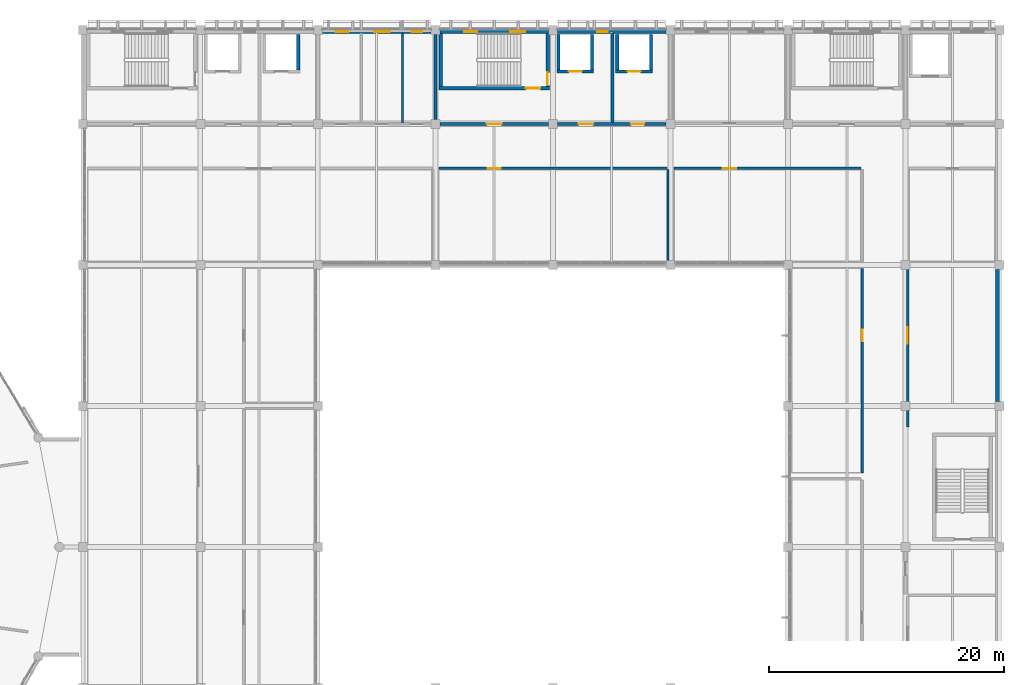
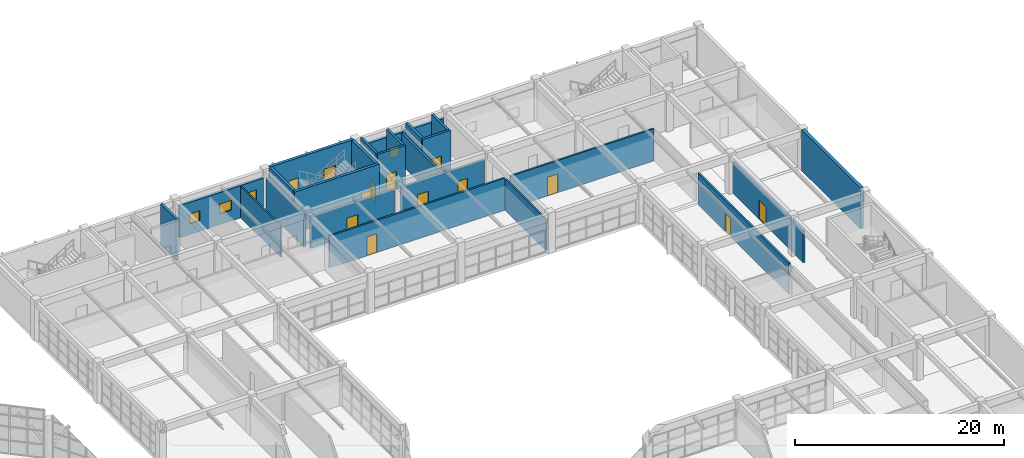
# One storey, part 96 of 109: 24 walls, 11 doors, 6 windows, 17 openings.
"""IFC4 building model written with IfcOpenShell, lengths in metres."""

import ifcopenshell
import ifcopenshell.guid

model = None  # the IFC model being written
_history = None  # IfcOwnerHistory: only IFC2X3 demands one
_inside = {}  # id of a spatial element -> (the spatial element, [elements in it])
_under = {}  # id of a project, library or spatial element -> (it, [spatial elements below it])
_declared = {}  # id of a project -> (the project, [libraries it declares])
_typed = {}  # id of a type object -> (the type object, [elements of that type])
_made_of = {}  # id of a material, layer set ... -> (it, [elements and type objects made of it])


def new_model(schema):
    """Start an empty IFC model of exactly this schema.

    Asked for "IFC4X3", IfcOpenShell would pick the latest addendum, in which some entities
    have other attributes; the version numbers below select the first issue.
    IFC2X3 requires an IfcOwnerHistory on every rooted entity: one is made here for all.
    """
    global model, _history
    if schema == "IFC4X3":
        model = ifcopenshell.file(schema_version=(4, 3, 0, 0))
    else:
        model = ifcopenshell.file(schema=schema)
    _inside.clear()
    _under.clear()
    _declared.clear()
    _typed.clear()
    _made_of.clear()
    _history = None
    if model.schema == "IFC2X3":
        org = make("IfcOrganization", Name="unknown")
        user = make(
            "IfcPersonAndOrganization",
            ThePerson=make("IfcPerson", FamilyName="unknown"),
            TheOrganization=org,
        )
        app = make(
            "IfcApplication",
            ApplicationDeveloper=org,
            Version="unknown",
            ApplicationFullName="unknown",
            ApplicationIdentifier="unknown",
        )
        _history = make(
            "IfcOwnerHistory",
            OwningUser=user,
            OwningApplication=app,
            ChangeAction="ADDED",
            CreationDate=0,
        )
    return model


def make(cls, **values):
    """One entity of the class cls with the attributes given. An attribute that is None is left unset."""
    return model.create_entity(
        cls, **{name: value for name, value in values.items() if value is not None}
    )


def rooted(cls, **values):
    """An entity with a GlobalId (a new one), such as an element, a storey or a relation."""
    return make(cls, GlobalId=ifcopenshell.guid.new(), OwnerHistory=_history, **values)


def si_unit(unit_type, name, prefix=None):
    """IfcSIUnit, for example si_unit("LENGTHUNIT", "METRE", prefix="MILLI")."""
    return make("IfcSIUnit", UnitType=unit_type, Prefix=prefix, Name=name)


def assignment(units):
    """IfcUnitAssignment: the units of a project."""
    return None if units is None else make("IfcUnitAssignment", Units=units)


def point(xyz):
    """IfcCartesianPoint."""
    return None if xyz is None else make("IfcCartesianPoint", Coordinates=xyz)


def direction(xyz):
    """IfcDirection."""
    return None if xyz is None else make("IfcDirection", DirectionRatios=xyz)


def frame(location, z_axis=None, x_axis=None):
    """IfcAxis2Placement3D, a coordinate frame: its origin and axes. An axis left out is left unset."""
    return make(
        "IfcAxis2Placement3D",
        Location=point(location),
        Axis=direction(z_axis),
        RefDirection=direction(x_axis),
    )


def frame_2d(location, x_axis=None):
    """IfcAxis2Placement2D, a coordinate frame in the plane: its origin and x axis."""
    return make(
        "IfcAxis2Placement2D", Location=point(location), RefDirection=direction(x_axis)
    )


def origin():
    """The frame at (0, 0, 0) with its axes left unset."""
    return frame((0.0, 0.0, 0.0))


def place(relative_to, where):
    """IfcLocalPlacement: puts the frame where relative to a parent placement (None: the world)."""
    return make(
        "IfcLocalPlacement", PlacementRelTo=relative_to, RelativePlacement=where
    )


def context(
    kind, dimensions, precision=None, world=None, true_north=None, identifier=None
):
    """IfcGeometricRepresentationContext, for example the 3D "Model" context."""
    return make(
        "IfcGeometricRepresentationContext",
        ContextIdentifier=identifier,
        ContextType=kind,
        CoordinateSpaceDimension=dimensions,
        Precision=precision,
        WorldCoordinateSystem=world,
        TrueNorth=true_north,
    )


def subcontext(parent, identifier, kind, view, scale=None):
    """IfcGeometricRepresentationSubContext, for example "Body" below "Model"."""
    return make(
        "IfcGeometricRepresentationSubContext",
        ContextIdentifier=identifier,
        ContextType=kind,
        ParentContext=parent,
        TargetScale=scale,
        TargetView=view,
    )


def project(units=None, contexts=None):
    """IfcProject with its units and contexts."""
    return rooted(
        "IfcProject",
        Name="project",
        RepresentationContexts=contexts,
        UnitsInContext=assignment(units),
    )


def spatial(cls, under=None, at=None, **own):
    """A site, building, storey or space (cls), placed at a placement, below another one or the project."""
    s = rooted(cls, ObjectPlacement=at, **own)
    if under is not None:
        _under.setdefault(under.id(), (under, []))[1].append(s)
    return s


def profile(cls, at=None, kind="AREA", **sizes):
    """A parametric profile (cls). Its sizes go by their IFC names, for example OverallWidth=200.0."""
    return make(cls, ProfileType=kind, Position=at, **sizes)


def rectangle(**sizes):
    """IfcRectangleProfileDef."""
    return profile("IfcRectangleProfileDef", **sizes)


def extrude(swept, where, along, depth):
    """IfcExtrudedAreaSolid: the profile swept, set in the frame where, extruded along a direction by depth."""
    return make(
        "IfcExtrudedAreaSolid",
        SweptArea=swept,
        Position=where,
        ExtrudedDirection=direction(along),
        Depth=depth,
    )


def shape(context_of_items, identifier, shape_type, items):
    """IfcShapeRepresentation: the items that make up one representation, for example the "Body"."""
    return make(
        "IfcShapeRepresentation",
        ContextOfItems=context_of_items,
        RepresentationIdentifier=identifier,
        RepresentationType=shape_type,
        Items=items,
    )


def material(Name=None, Category=None):
    """IfcMaterial."""
    return make("IfcMaterial", Name=Name, Category=Category)


def layer(
    of_material, thickness, ventilated=None, Name=None, Category=None, Priority=None
):
    """IfcMaterialLayer: one layer of a wall or slab, of a material (None: an air gap)."""
    return make(
        "IfcMaterialLayer",
        Material=of_material,
        LayerThickness=thickness,
        IsVentilated=ventilated,
        Name=Name,
        Category=Category,
        Priority=Priority,
    )


def layer_set(layers, Name=None):
    """IfcMaterialLayerSet."""
    return make("IfcMaterialLayerSet", MaterialLayers=layers, LayerSetName=Name)


def made_of(thing, what):
    """Note that an element or type object is made of a material, layer set ...; save() writes the relation."""
    if what is not None:
        _made_of.setdefault(what.id(), (what, []))[1].append(thing)
    return thing


def type_object(cls, material=None, **own):
    """A type object (cls), such as IfcWallType, which elements share."""
    return made_of(rooted(cls, **own), material)


def element(
    cls,
    number,
    at=None,
    inside=None,
    cuts=None,
    type_object=None,
    material=None,
    context=None,
    identifier="Body",
    shape_type=None,
    held_by="IfcProductDefinitionShape",
    body=None,
    shapes=None,
    **own,
):
    """One element of the class cls, such as IfcWall. Its Tag is "e" and its number.

    at: its placement. inside: the storey or other place that contains it. cuts: it is an
    opening in that element (IfcRelVoidsElement). A single representation is given by context,
    identifier, shape_type and body (its items); several are given by shapes. held_by: the class
    of the entity that holds the representations. save() writes the other relations.
    """
    e = rooted(cls, Tag="e%d" % number, ObjectPlacement=at, **own)
    if body is not None:
        shapes = [shape(context, identifier, shape_type, body)]
    if shapes is not None:
        e.Representation = make(held_by, Representations=shapes)
    if inside is not None:
        _inside.setdefault(inside.id(), (inside, []))[1].append(e)
    if cuts is not None:
        rooted(
            "IfcRelVoidsElement", RelatingBuildingElement=cuts, RelatedOpeningElement=e
        )
    if type_object is not None:
        _typed.setdefault(type_object.id(), (type_object, []))[1].append(e)
    return made_of(e, material)


def fill(opening, filler):
    """IfcRelFillsElement: the door or window that sits in an opening."""
    return rooted(
        "IfcRelFillsElement",
        RelatingOpeningElement=opening,
        RelatedBuildingElement=filler,
    )


def aggregate(whole, parts):
    """IfcRelAggregates: a whole, such as a stair, and the parts it consists of."""
    return rooted("IfcRelAggregates", RelatingObject=whole, RelatedObjects=parts)


def save(model, path):
    """Write the relations noted so far, then the file.

    IfcRelAggregates (storeys below a building ...), IfcRelContainedInSpatialStructure (elements
    in a storey), IfcRelDefinesByType, IfcRelAssociatesMaterial and IfcRelDeclares: one each for
    every whole, place, type object, material and project.
    """
    for whole, parts in _under.values():
        aggregate(whole, parts)
    for where, things in _inside.values():
        rooted(
            "IfcRelContainedInSpatialStructure",
            RelatedElements=things,
            RelatingStructure=where,
        )
    for kind, things in _typed.values():
        rooted("IfcRelDefinesByType", RelatedObjects=things, RelatingType=kind)
    for what, things in _made_of.values():
        rooted("IfcRelAssociatesMaterial", RelatedObjects=things, RelatingMaterial=what)
    for by, libraries in _declared.values():
        rooted("IfcRelDeclares", RelatingContext=by, RelatedDefinitions=libraries)
    model.write(path)


model = new_model("IFC4")

# Units and contexts
model_context = context("Model", 3, precision=1e-05, world=origin(), true_north=direction((0.0, 1.0)))
body_context = subcontext(model_context, "Body", "Model", "MODEL_VIEW")
ifc_project = project(units=[si_unit("LENGTHUNIT", "METRE"), si_unit("AREAUNIT", "SQUARE_METRE"), si_unit("VOLUMEUNIT", "CUBIC_METRE"), si_unit("PLANEANGLEUNIT", "RADIAN"), si_unit("MASSUNIT", "GRAM", prefix="KILO")], contexts=[model_context])

# Site, building, storey
site_placement = place(None, origin())
site = spatial("IfcSite", under=ifc_project, at=site_placement, CompositionType="ELEMENT")
building_placement = place(site_placement, origin())
building = spatial("IfcBuilding", under=site, at=building_placement, Name="Kivolera Central Railway Station", CompositionType="ELEMENT")
storey_placement = place(building_placement, frame((0.0, 0.0, 9.60009765625)))
storey = spatial("IfcBuildingStorey", under=building, at=storey_placement, Name="L02", CompositionType="ELEMENT", Elevation=9.60009765625)

# Wall, opening, door
ifc_material_1 = material(Name="Concrete C40/50", Category="concrete")
ifc_layer_1 = layer(ifc_material_1, 0.22998046875, Name="Concrete C40/50")
ifc_layer_set_1 = layer_set([ifc_layer_1], Name="Concrete C40/50")
wall_type_1 = type_object("IfcWallType", Name="WL-COMP-230", PredefinedType="PARTITIONING", material=ifc_layer_set_1)
wall_1_placement = place(storey_placement, frame((188.179931640625, 100.199951171875, 0.0), z_axis=(0.0, 0.0, 1.0), x_axis=(0.0, 1.0, 0.0)))
wall_1 = element("IfcWall", 1, at=wall_1_placement, inside=storey, type_object=wall_type_1, Name="L02 Concourse Kitchen Extract Plant Room Corridor Wall", PredefinedType="PARTITIONING", context=body_context, shape_type="SweptSolid", body=[
    extrude(rectangle(XDim=13.5, YDim=0.22998046875, at=frame_2d((6.75, 0.0))), origin(), (0.0, 0.0, 1.0), 3.657958984375),
])
opening_1_placement = place(wall_1_placement, frame((7.10009765625, 0.0, 0.0)))
opening_1 = element("IfcOpeningElement", 2, at=opening_1_placement, cuts=wall_1, Name="Opening D-PLT-1400", PredefinedType="OPENING", context=body_context, shape_type="SweptSolid", body=[
    extrude(rectangle(XDim=1.39990234375, YDim=2.199951171875, at=frame_2d((0.699951171875, 1.10009765625))), frame((0.0, 0.125, 0.0), z_axis=(0.0, -1.0, 0.0), x_axis=(1.0, 0.0, 0.0)), (0.0, 0.0, 1.0), 0.25),
])
ifc_material_2 = material(Name="Anodised aluminium", Category="aluminium")
door_type_1 = type_object("IfcDoorType", Name="DR-D-PLT-1400", OperationType="NOTDEFINED", PredefinedType="DOOR", material=ifc_material_2)
door_1_placement = place(opening_1_placement, origin())
door_1 = element("IfcDoor", 3, at=door_1_placement, inside=storey, type_object=door_type_1, Name="L02 Concourse Kitchen Extract Plant Room Door", OperationType="SINGLE_SWING_LEFT", OverallHeight=2.199951171875, OverallWidth=1.39990234375, PredefinedType="DOOR", context=body_context, shape_type="SweptSolid", body=[
    extrude(rectangle(XDim=1.39990234375, YDim=2.199951171875, at=frame_2d((0.699951171875, 1.10009765625))), frame((0.0, 0.02490234375, 0.0), z_axis=(0.0, -1.0, 0.0), x_axis=(1.0, 0.0, 0.0)), (0.0, 0.0, 1.0), 0.050048828125),
])
fill(opening_1, door_1)

ifc_material_3 = material(Name="Swahili coral limestone", Category="masonry")
ifc_layer_2 = layer(ifc_material_3, 0.199951171875, Name="Swahili coral limestone")
ifc_layer_set_2 = layer_set([ifc_layer_2], Name="Swahili coral limestone")
wall_type_2 = type_object("IfcWallType", Name="WL-COR-200", PredefinedType="PARTITIONING", material=ifc_layer_set_2)
wall_2_placement = place(storey_placement, frame((148.300048828125, 122.219970703125, 0.0), z_axis=(0.0, 0.0, 1.0), x_axis=(1.0, 0.0, 0.0)))
wall_2 = element("IfcWall", 4, at=wall_2_placement, inside=storey, type_object=wall_type_2, Name="L02 Commercial Catering Culinary Studio Corridor Wall", PredefinedType="PARTITIONING", context=body_context, shape_type="SweptSolid", body=[
    extrude(rectangle(XDim=19.39990234375, YDim=0.199951171875, at=frame_2d((9.699951171875, 0.0))), origin(), (0.0, 0.0, 1.0), 3.7578125),
])
opening_2_placement = place(wall_2_placement, frame((4.14990234375, 0.0, 0.0)))
opening_2 = element("IfcOpeningElement", 5, at=opening_2_placement, cuts=wall_2, Name="Opening D-SG-11", PredefinedType="OPENING", context=body_context, shape_type="SweptSolid", body=[
    extrude(rectangle(XDim=1.10009765625, YDim=2.199951171875, at=frame_2d((0.550048828125, 1.10009765625))), frame((0.0, 0.10986328125, 0.0), z_axis=(0.0, -1.0, 0.0), x_axis=(1.0, 0.0, 0.0)), (0.0, 0.0, 1.0), 0.219970703125),
])
ifc_material_4 = material(Name="Hardwood mvule timber", Category="wood")
door_type_2 = type_object("IfcDoorType", Name="DR-D-SG-11", OperationType="NOTDEFINED", PredefinedType="DOOR", material=ifc_material_4)
door_2_placement = place(opening_2_placement, origin())
door_2 = element("IfcDoor", 6, at=door_2_placement, inside=storey, type_object=door_type_2, Name="L02 Commercial Catering Culinary Studio Door", OperationType="SINGLE_SWING_RIGHT", OverallHeight=2.199951171875, OverallWidth=1.10009765625, PredefinedType="DOOR", context=body_context, shape_type="SweptSolid", body=[
    extrude(rectangle(XDim=1.10009765625, YDim=2.199951171875, at=frame_2d((0.550048828125, 1.10009765625))), frame((0.0, 0.02490234375, 0.0), z_axis=(0.0, -1.0, 0.0), x_axis=(1.0, 0.0, 0.0)), (0.0, 0.0, 1.0), 0.050048828125),
])
fill(opening_2, door_2)

wall_3_placement = place(storey_placement, frame((168.300048828125, 122.219970703125, 0.0), z_axis=(0.0, 0.0, 1.0), x_axis=(1.0, 0.0, 0.0)))
wall_3 = element("IfcWall", 7, at=wall_3_placement, inside=storey, type_object=wall_type_2, Name="L02 Dar Roastery Espresso Cafe Corridor Wall", PredefinedType="PARTITIONING", context=body_context, shape_type="SweptSolid", body=[
    extrude(rectangle(XDim=15.89990234375, YDim=0.199951171875, at=frame_2d((7.949951171875, 0.0))), origin(), (0.0, 0.0, 1.0), 3.7578125),
])
opening_3_placement = place(wall_3_placement, frame((4.125, 0.0, 0.0)))
opening_3 = element("IfcOpeningElement", 8, at=opening_3_placement, cuts=wall_3, Name="Opening D-SG-12", PredefinedType="OPENING", context=body_context, shape_type="SweptSolid", body=[
    extrude(rectangle(XDim=1.14990234375, YDim=2.199951171875, at=frame_2d((0.574951171875, 1.10009765625))), frame((0.0, 0.10986328125, 0.0), z_axis=(0.0, -1.0, 0.0), x_axis=(1.0, 0.0, 0.0)), (0.0, 0.0, 1.0), 0.219970703125),
])
door_type_3 = type_object("IfcDoorType", Name="DR-D-SG-12", OperationType="NOTDEFINED", PredefinedType="DOOR", material=ifc_material_4)
door_3_placement = place(opening_3_placement, origin())
door_3 = element("IfcDoor", 9, at=door_3_placement, inside=storey, type_object=door_type_3, Name="L02 Dar Roastery Espresso Cafe Door", OperationType="SINGLE_SWING_LEFT", OverallHeight=2.199951171875, OverallWidth=1.14990234375, PredefinedType="DOOR", context=body_context, shape_type="SweptSolid", body=[
    extrude(rectangle(XDim=1.14990234375, YDim=2.199951171875, at=frame_2d((0.574951171875, 1.10009765625))), frame((0.0, 0.02490234375, 0.0), z_axis=(0.0, -1.0, 0.0), x_axis=(1.0, 0.0, 0.0)), (0.0, 0.0, 1.0), 0.050048828125),
])
fill(opening_3, door_3)

wall_4_placement = place(storey_placement, frame((184.320068359375, 96.300048828125, 0.0), z_axis=(0.0, 0.0, 1.0), x_axis=(0.0, 1.0, 0.0)))
wall_4 = element("IfcWall", 10, at=wall_4_placement, inside=storey, type_object=wall_type_2, Name="L02 Travellers' Periodical Lounge Corridor Wall", PredefinedType="PARTITIONING", context=body_context, shape_type="SweptSolid", body=[
    extrude(rectangle(XDim=17.39990234375, YDim=0.199951171875, at=frame_2d((8.699951171875, 0.0))), origin(), (0.0, 0.0, 1.0), 3.657958984375),
])
opening_4_placement = place(wall_4_placement, frame((11.199951171875, 0.0, 0.0)))
opening_4 = element("IfcOpeningElement", 11, at=opening_4_placement, cuts=wall_4, Name="Opening D-SG-03", PredefinedType="OPENING", context=body_context, shape_type="SweptSolid", body=[
    extrude(rectangle(XDim=1.0, YDim=2.10009765625, at=frame_2d((0.5, 1.050048828125))), frame((0.0, 0.10986328125, 0.0), z_axis=(0.0, -1.0, 0.0), x_axis=(1.0, 0.0, 0.0)), (0.0, 0.0, 1.0), 0.219970703125),
])
door_type_4 = type_object("IfcDoorType", Name="DR-D-SG-03", OperationType="NOTDEFINED", PredefinedType="DOOR", material=ifc_material_4)
door_4_placement = place(opening_4_placement, origin())
door_4 = element("IfcDoor", 12, at=door_4_placement, inside=storey, type_object=door_type_4, Name="L02 Travellers' Periodical Lounge Door", OperationType="SINGLE_SWING_RIGHT", OverallHeight=2.10009765625, OverallWidth=1.0, PredefinedType="DOOR", context=body_context, shape_type="SweptSolid", body=[
    extrude(rectangle(XDim=1.0, YDim=2.10009765625, at=frame_2d((0.5, 1.050048828125))), frame((0.0, 0.02490234375, 0.0), z_axis=(0.0, -1.0, 0.0), x_axis=(1.0, 0.0, 0.0)), (0.0, 0.0, 1.0), 0.050048828125),
])
fill(opening_4, door_4)

ifc_layer_3 = layer(ifc_material_1, 0.300048828125, Name="Concrete C40/50")
ifc_layer_set_3 = layer_set([ifc_layer_3], Name="Concrete C40/50")
wall_type_3 = type_object("IfcWallType", Name="WL-CORE-300", PredefinedType="SHEAR", material=ifc_layer_set_3)
wall_5_placement = place(storey_placement, frame((157.699951171875, 129.030029296875, 0.0), z_axis=(0.0, 0.0, 1.0), x_axis=(-1.0, 0.0, 0.0)))
wall_5 = element("IfcWall", 13, at=wall_5_placement, inside=storey, type_object=wall_type_3, Name="L02 ST2 Core Right Shear Wall", PredefinedType="SHEAR", context=body_context, shape_type="SweptSolid", body=[
    extrude(rectangle(XDim=9.39990234375, YDim=0.300048828125, at=frame_2d((4.699951171875, 0.0))), origin(), (0.0, 0.0, 1.0), 4.7998046875),
])
opening_5_placement = place(wall_5_placement, frame((0.800048828125, 0.0, 0.0)))
opening_5 = element("IfcOpeningElement", 14, at=opening_5_placement, cuts=wall_5, Name="Opening D-STAIR-1200", PredefinedType="OPENING", context=body_context, shape_type="SweptSolid", body=[
    extrude(rectangle(XDim=1.199951171875, YDim=2.14990234375, at=frame_2d((0.60009765625, 1.074951171875))), frame((0.0, 0.159912109375, 0.0), z_axis=(0.0, -1.0, 0.0), x_axis=(1.0, 0.0, 0.0)), (0.0, 0.0, 1.0), 0.320068359375),
])
door_type_5 = type_object("IfcDoorType", Name="DR-D-STAIR-1200", OperationType="NOTDEFINED", PredefinedType="DOOR", material=ifc_material_4)
door_5_placement = place(opening_5_placement, origin())
door_5 = element("IfcDoor", 15, at=door_5_placement, inside=storey, type_object=door_type_5, Name="L02 ST2 Vestibule Fire Door", OperationType="SINGLE_SWING_LEFT", OverallHeight=2.14990234375, OverallWidth=1.199951171875, PredefinedType="DOOR", context=body_context, shape_type="SweptSolid", body=[
    extrude(rectangle(XDim=1.199951171875, YDim=2.14990234375, at=frame_2d((0.60009765625, 1.074951171875))), frame((0.0, 0.02490234375, 0.0), z_axis=(0.0, -1.0, 0.0), x_axis=(1.0, 0.0, 0.0)), (0.0, 0.0, 1.0), 0.050048828125),
])
fill(opening_5, door_5)

wall_6_placement = place(storey_placement, frame((157.550048828125, 133.679931640625, 0.0), z_axis=(0.0, 0.0, 1.0), x_axis=(0.0, -1.0, 0.0)))
wall_6 = element("IfcWall", 16, at=wall_6_placement, inside=storey, type_object=wall_type_3, Name="L02 ST2 Core Near Shear Wall", PredefinedType="SHEAR", context=body_context, shape_type="SweptSolid", body=[
    extrude(rectangle(XDim=4.5, YDim=0.300048828125, at=frame_2d((2.25, 0.0))), origin(), (0.0, 0.0, 1.0), 4.7998046875),
])
opening_6_placement = place(wall_6_placement, frame((3.300048828125, 0.0, 0.0)))
opening_6 = element("IfcOpeningElement", 17, at=opening_6_placement, cuts=wall_6, Name="Opening D-FFL-1100", PredefinedType="OPENING", context=body_context, shape_type="SweptSolid", body=[
    extrude(rectangle(XDim=1.10009765625, YDim=2.14990234375, at=frame_2d((0.550048828125, 1.074951171875))), frame((0.0, 0.159912109375, 0.0), z_axis=(0.0, -1.0, 0.0), x_axis=(1.0, 0.0, 0.0)), (0.0, 0.0, 1.0), 0.320068359375),
])
door_type_6 = type_object("IfcDoorType", Name="DR-D-FFL-1100", OperationType="NOTDEFINED", PredefinedType="DOOR", material=ifc_material_4)
door_6_placement = place(opening_6_placement, origin())
door_6 = element("IfcDoor", 18, at=door_6_placement, inside=storey, type_object=door_type_6, Name="L02 Firefighting Lobby to ST2 Fire Door", OperationType="SINGLE_SWING_RIGHT", OverallHeight=2.14990234375, OverallWidth=1.10009765625, PredefinedType="DOOR", context=body_context, shape_type="SweptSolid", body=[
    extrude(rectangle(XDim=1.10009765625, YDim=2.14990234375, at=frame_2d((0.550048828125, 1.074951171875))), frame((0.0, 0.02490234375, 0.0), z_axis=(0.0, -1.0, 0.0), x_axis=(1.0, 0.0, 0.0)), (0.0, 0.0, 1.0), 0.050048828125),
])
fill(opening_6, door_6)

# Wall
wall_7_placement = place(storey_placement, frame((148.449951171875, 129.179931640625, 0.0), z_axis=(0.0, 0.0, 1.0), x_axis=(0.0, 1.0, 0.0)))
element("IfcWall", 19, at=wall_7_placement, inside=storey, type_object=wall_type_3, Name="L02 ST2 Core Far Shear Wall", PredefinedType="SHEAR", context=body_context, shape_type="SweptSolid", body=[
    extrude(rectangle(XDim=4.5, YDim=0.300048828125, at=frame_2d((2.25, 0.0))), origin(), (0.0, 0.0, 1.0), 4.7998046875),
])

# Wall, openings, windows
ifc_layer_4 = layer(ifc_material_1, 0.320068359375, Name="Concrete C40/50")
ifc_layer_set_4 = layer_set([ifc_layer_4], Name="Concrete C40/50")
wall_type_4 = type_object("IfcWallType", Name="WL-CORE-EXT-320", PredefinedType="SHEAR", material=ifc_layer_set_4)
wall_8_placement = place(storey_placement, frame((148.3701171875, 133.840087890625, 0.0), z_axis=(0.0, 0.0, 1.0), x_axis=(1.0, 0.0, 0.0)))
wall_8 = element("IfcWall", 20, at=wall_8_placement, inside=storey, type_object=wall_type_4, Name="L02 North Street Facade Wall Bay 4", PredefinedType="SHEAR", context=body_context, shape_type="SweptSolid", body=[
    extrude(rectangle(XDim=9.259765625, YDim=0.320068359375, at=frame_2d((4.6298828125, 0.0))), origin(), (0.0, 0.0, 1.0), 4.7998046875),
])
opening_7_placement = place(wall_8_placement, frame((2.080078125, 0.0, 1.050048828125)))
opening_7 = element("IfcOpeningElement", 21, at=opening_7_placement, cuts=wall_8, Name="Opening WN-14", PredefinedType="OPENING", context=body_context, shape_type="SweptSolid", body=[
    extrude(rectangle(XDim=1.10009765625, YDim=1.39990234375, at=frame_2d((0.550048828125, 0.699951171875))), frame((0.0, 0.169921875, 0.0), z_axis=(0.0, -1.0, 0.0), x_axis=(1.0, 0.0, 0.0)), (0.0, 0.0, 1.0), 0.340087890625),
])
opening_8_placement = place(wall_8_placement, frame((5.97998046875, 0.0, 1.050048828125)))
opening_8 = element("IfcOpeningElement", 22, at=opening_8_placement, cuts=wall_8, Name="Opening WN-15", PredefinedType="OPENING", context=body_context, shape_type="SweptSolid", body=[
    extrude(rectangle(XDim=1.300048828125, YDim=1.39990234375, at=frame_2d((0.64990234375, 0.699951171875))), frame((0.0, 0.169921875, 0.0), z_axis=(0.0, -1.0, 0.0), x_axis=(1.0, 0.0, 0.0)), (0.0, 0.0, 1.0), 0.340087890625),
])
ifc_material_5 = material(Name="Double low-E laminated glass", Category="glass")
window_type_1 = type_object("IfcWindowType", Name="WIN-WN-14", PartitioningType="SINGLE_PANEL", PredefinedType="WINDOW", material=ifc_material_5)
window_1_placement = place(opening_7_placement, origin())
window_1 = element("IfcWindow", 23, at=window_1_placement, inside=storey, type_object=window_type_1, Name="L02 North Street Window Bay 4.1", OverallHeight=1.39990234375, OverallWidth=1.10009765625, PartitioningType="SINGLE_PANEL", PredefinedType="WINDOW", context=body_context, shape_type="SweptSolid", body=[
    extrude(rectangle(XDim=1.10009765625, YDim=1.39990234375, at=frame_2d((0.550048828125, 0.699951171875))), frame((0.0, 0.030029296875, 0.0), z_axis=(0.0, -1.0, 0.0), x_axis=(1.0, 0.0, 0.0)), (0.0, 0.0, 1.0), 0.06005859375),
])
fill(opening_7, window_1)
window_type_2 = type_object("IfcWindowType", Name="WIN-WN-15", PartitioningType="SINGLE_PANEL", PredefinedType="WINDOW", material=ifc_material_5)
window_2_placement = place(opening_8_placement, origin())
window_2 = element("IfcWindow", 24, at=window_2_placement, inside=storey, type_object=window_type_2, Name="L02 North Street Window Bay 4.2", OverallHeight=1.39990234375, OverallWidth=1.300048828125, PartitioningType="SINGLE_PANEL", PredefinedType="WINDOW", context=body_context, shape_type="SweptSolid", body=[
    extrude(rectangle(XDim=1.300048828125, YDim=1.39990234375, at=frame_2d((0.64990234375, 0.699951171875))), frame((0.0, 0.030029296875, 0.0), z_axis=(0.0, -1.0, 0.0), x_axis=(1.0, 0.0, 0.0)), (0.0, 0.0, 1.0), 0.06005859375),
])
fill(opening_8, window_2)

ifc_layer_5 = layer(ifc_material_3, 0.304931640625, Name="Swahili coral limestone")
ifc_layer_set_5 = layer_set([ifc_layer_5], Name="Swahili coral limestone")
wall_type_5 = type_object("IfcWallType", Name="WL-EXT-CORAL-305", PredefinedType="SOLIDWALL", material=ifc_layer_set_5)
wall_9_placement = place(storey_placement, frame((138.3701171875, 133.846923828125, 0.0), z_axis=(0.0, 0.0, 1.0), x_axis=(1.0, 0.0, 0.0)))
wall_9 = element("IfcWall", 25, at=wall_9_placement, inside=storey, type_object=wall_type_5, Name="L02 North Street Facade Wall Bay 3", PredefinedType="SOLIDWALL", context=body_context, shape_type="SweptSolid", body=[
    extrude(rectangle(XDim=9.259765625, YDim=0.304931640625, at=frame_2d((4.6298828125, 0.0))), origin(), (0.0, 0.0, 1.0), 3.7578125),
])
opening_9_placement = place(wall_9_placement, frame((1.1298828125, 0.0, 1.25)))
opening_9 = element("IfcOpeningElement", 26, at=opening_9_placement, cuts=wall_9, Name="Opening WN-02", PredefinedType="OPENING", context=body_context, shape_type="SweptSolid", body=[
    extrude(rectangle(XDim=1.10009765625, YDim=1.14990234375, at=frame_2d((0.550048828125, 0.574951171875))), frame((0.0, 0.162353515625, 0.0), z_axis=(0.0, -1.0, 0.0), x_axis=(1.0, 0.0, 0.0)), (0.0, 0.0, 1.0), 0.324951171875),
])
opening_10_placement = place(wall_9_placement, frame((4.429931640625, 0.0, 1.25)))
opening_10 = element("IfcOpeningElement", 27, at=opening_10_placement, cuts=wall_9, Name="Opening WN-03", PredefinedType="OPENING", context=body_context, shape_type="SweptSolid", body=[
    extrude(rectangle(XDim=1.300048828125, YDim=1.14990234375, at=frame_2d((0.64990234375, 0.574951171875))), frame((0.0, 0.162353515625, 0.0), z_axis=(0.0, -1.0, 0.0), x_axis=(1.0, 0.0, 0.0)), (0.0, 0.0, 1.0), 0.324951171875),
])
opening_11_placement = place(wall_9_placement, frame((7.6298828125, 0.0, 1.25)))
opening_11 = element("IfcOpeningElement", 28, at=opening_11_placement, cuts=wall_9, Name="Opening WN-13", PredefinedType="OPENING", context=body_context, shape_type="SweptSolid", body=[
    extrude(rectangle(XDim=0.89990234375, YDim=1.39990234375, at=frame_2d((0.449951171875, 0.699951171875))), frame((0.0, 0.162353515625, 0.0), z_axis=(0.0, -1.0, 0.0), x_axis=(1.0, 0.0, 0.0)), (0.0, 0.0, 1.0), 0.324951171875),
])
window_type_3 = type_object("IfcWindowType", Name="WIN-WN-02", PartitioningType="SINGLE_PANEL", PredefinedType="WINDOW", material=ifc_material_5)
window_3_placement = place(opening_9_placement, origin())
window_3 = element("IfcWindow", 29, at=window_3_placement, inside=storey, type_object=window_type_3, Name="L02 North Street Window Bay 3.1", OverallHeight=1.14990234375, OverallWidth=1.10009765625, PartitioningType="SINGLE_PANEL", PredefinedType="WINDOW", context=body_context, shape_type="SweptSolid", body=[
    extrude(rectangle(XDim=1.10009765625, YDim=1.14990234375, at=frame_2d((0.550048828125, 0.574951171875))), frame((0.0, 0.030029296875, 0.0), z_axis=(0.0, -1.0, 0.0), x_axis=(1.0, 0.0, 0.0)), (0.0, 0.0, 1.0), 0.06005859375),
])
fill(opening_9, window_3)
window_type_4 = type_object("IfcWindowType", Name="WIN-WN-03", PartitioningType="SINGLE_PANEL", PredefinedType="WINDOW", material=ifc_material_5)
window_4_placement = place(opening_10_placement, origin())
window_4 = element("IfcWindow", 30, at=window_4_placement, inside=storey, type_object=window_type_4, Name="L02 North Street Window Bay 3.2", OverallHeight=1.14990234375, OverallWidth=1.300048828125, PartitioningType="SINGLE_PANEL", PredefinedType="WINDOW", context=body_context, shape_type="SweptSolid", body=[
    extrude(rectangle(XDim=1.300048828125, YDim=1.14990234375, at=frame_2d((0.64990234375, 0.574951171875))), frame((0.0, 0.030029296875, 0.0), z_axis=(0.0, -1.0, 0.0), x_axis=(1.0, 0.0, 0.0)), (0.0, 0.0, 1.0), 0.06005859375),
])
fill(opening_10, window_4)
window_type_5 = type_object("IfcWindowType", Name="WIN-WN-13", PartitioningType="SINGLE_PANEL", PredefinedType="WINDOW", material=ifc_material_5)
window_5_placement = place(opening_11_placement, origin())
window_5 = element("IfcWindow", 31, at=window_5_placement, inside=storey, type_object=window_type_5, Name="L02 North Street Window Bay 3.3", OverallHeight=1.39990234375, OverallWidth=0.89990234375, PartitioningType="SINGLE_PANEL", PredefinedType="WINDOW", context=body_context, shape_type="SweptSolid", body=[
    extrude(rectangle(XDim=0.89990234375, YDim=1.39990234375, at=frame_2d((0.449951171875, 0.699951171875))), frame((0.0, 0.030029296875, 0.0), z_axis=(0.0, -1.0, 0.0), x_axis=(1.0, 0.0, 0.0)), (0.0, 0.0, 1.0), 0.06005859375),
])
fill(opening_11, window_5)

# Wall, opening, window
wall_10_placement = place(storey_placement, frame((158.3701171875, 133.846923828125, 0.0), z_axis=(0.0, 0.0, 1.0), x_axis=(1.0, 0.0, 0.0)))
wall_10 = element("IfcWall", 32, at=wall_10_placement, inside=storey, type_object=wall_type_5, Name="L02 North Street Facade Wall Bay 5", PredefinedType="SOLIDWALL", context=body_context, shape_type="SweptSolid", body=[
    extrude(rectangle(XDim=9.259765625, YDim=0.304931640625, at=frame_2d((4.6298828125, 0.0))), origin(), (0.0, 0.0, 1.0), 3.7578125),
])
opening_12_placement = place(wall_10_placement, frame((3.3798828125, 0.0, 1.050048828125)))
opening_12 = element("IfcOpeningElement", 33, at=opening_12_placement, cuts=wall_10, Name="Opening WN-01", PredefinedType="OPENING", context=body_context, shape_type="SweptSolid", body=[
    extrude(rectangle(XDim=0.89990234375, YDim=1.14990234375, at=frame_2d((0.449951171875, 0.574951171875))), frame((0.0, 0.162353515625, 0.0), z_axis=(0.0, -1.0, 0.0), x_axis=(1.0, 0.0, 0.0)), (0.0, 0.0, 1.0), 0.324951171875),
])
window_type_6 = type_object("IfcWindowType", Name="WIN-WN-01", PartitioningType="SINGLE_PANEL", PredefinedType="WINDOW", material=ifc_material_5)
window_6_placement = place(opening_12_placement, origin())
window_6 = element("IfcWindow", 34, at=window_6_placement, inside=storey, type_object=window_type_6, Name="L02 North Street Window Bay 5.1", OverallHeight=1.14990234375, OverallWidth=0.89990234375, PartitioningType="SINGLE_PANEL", PredefinedType="WINDOW", context=body_context, shape_type="SweptSolid", body=[
    extrude(rectangle(XDim=0.89990234375, YDim=1.14990234375, at=frame_2d((0.449951171875, 0.574951171875))), frame((0.0, 0.030029296875, 0.0), z_axis=(0.0, -1.0, 0.0), x_axis=(1.0, 0.0, 0.0)), (0.0, 0.0, 1.0), 0.06005859375),
])
fill(opening_12, window_6)

# Wall, opening, door
ifc_layer_6 = layer(ifc_material_1, 0.25, Name="Concrete C40/50")
ifc_layer_set_6 = layer_set([ifc_layer_6], Name="Concrete C40/50")
wall_type_6 = type_object("IfcWallType", Name="WL-FFL-250", PredefinedType="PARTITIONING", material=ifc_layer_set_6)
wall_11_placement = place(storey_placement, frame((148.3798828125, 126.0, 0.0), z_axis=(0.0, 0.0, 1.0), x_axis=(1.0, 0.0, 0.0)))
wall_11 = element("IfcWall", 35, at=wall_11_placement, inside=storey, type_object=wall_type_6, Name="L02 North Core Corridor Wall 148", PredefinedType="PARTITIONING", context=body_context, shape_type="SweptSolid", body=[
    extrude(rectangle(XDim=9.240234375, YDim=0.25, at=frame_2d((4.6201171875, 0.0))), origin(), (0.0, 0.0, 1.0), 3.657958984375),
])
opening_13_placement = place(wall_11_placement, frame((3.9951171875, 0.0, 0.0)))
opening_13 = element("IfcOpeningElement", 36, at=opening_13_placement, cuts=wall_11, Name="Opening D-FFL-1250", PredefinedType="OPENING", context=body_context, shape_type="SweptSolid", body=[
    extrude(rectangle(XDim=1.25, YDim=2.14990234375, at=frame_2d((0.625, 1.074951171875))), frame((0.0, 0.135009765625, 0.0), z_axis=(0.0, -1.0, 0.0), x_axis=(1.0, 0.0, 0.0)), (0.0, 0.0, 1.0), 0.27001953125),
])
door_type_7 = type_object("IfcDoorType", Name="DR-D-FFL-1250", OperationType="NOTDEFINED", PredefinedType="DOOR", material=ifc_material_4)
door_7_placement = place(opening_13_placement, origin())
door_7 = element("IfcDoor", 37, at=door_7_placement, inside=storey, type_object=door_type_7, Name="L02 ST2 Vestibule Corridor Door", OperationType="SINGLE_SWING_RIGHT", OverallHeight=2.14990234375, OverallWidth=1.25, PredefinedType="DOOR", context=body_context, shape_type="SweptSolid", body=[
    extrude(rectangle(XDim=1.25, YDim=2.14990234375, at=frame_2d((0.625, 1.074951171875))), frame((0.0, 0.02490234375, 0.0), z_axis=(0.0, -1.0, 0.0), x_axis=(1.0, 0.0, 0.0)), (0.0, 0.0, 1.0), 0.050048828125),
])
fill(opening_13, door_7)

# Wall, openings, doors
wall_12_placement = place(storey_placement, frame((158.3798828125, 126.0, 0.0), z_axis=(0.0, 0.0, 1.0), x_axis=(1.0, 0.0, 0.0)))
wall_12 = element("IfcWall", 38, at=wall_12_placement, inside=storey, type_object=wall_type_6, Name="L02 North Core Corridor Wall 158", PredefinedType="PARTITIONING", context=body_context, shape_type="SweptSolid", body=[
    extrude(rectangle(XDim=9.240234375, YDim=0.25, at=frame_2d((4.6201171875, 0.0))), origin(), (0.0, 0.0, 1.0), 3.657958984375),
])
opening_14_placement = place(wall_12_placement, frame((1.794921875, 0.0, 0.0)))
opening_14 = element("IfcOpeningElement", 39, at=opening_14_placement, cuts=wall_12, Name="Opening D-FFL-1250", PredefinedType="OPENING", context=body_context, shape_type="SweptSolid", body=[
    extrude(rectangle(XDim=1.25, YDim=2.14990234375, at=frame_2d((0.625, 1.074951171875))), frame((0.0, 0.135009765625, 0.0), z_axis=(0.0, -1.0, 0.0), x_axis=(1.0, 0.0, 0.0)), (0.0, 0.0, 1.0), 0.27001953125),
])
opening_15_placement = place(wall_12_placement, frame((6.27001953125, 0.0, 0.0)))
opening_15 = element("IfcOpeningElement", 40, at=opening_15_placement, cuts=wall_12, Name="Opening D-FFL-1100", PredefinedType="OPENING", context=body_context, shape_type="SweptSolid", body=[
    extrude(rectangle(XDim=1.10009765625, YDim=2.14990234375, at=frame_2d((0.550048828125, 1.074951171875))), frame((0.0, 0.135009765625, 0.0), z_axis=(0.0, -1.0, 0.0), x_axis=(1.0, 0.0, 0.0)), (0.0, 0.0, 1.0), 0.27001953125),
])
door_8_placement = place(opening_15_placement, origin())
door_8 = element("IfcDoor", 41, at=door_8_placement, inside=storey, type_object=door_type_6, Name="L02 PL2 Lift Lobby Door", OperationType="SINGLE_SWING_RIGHT", OverallHeight=2.14990234375, OverallWidth=1.10009765625, PredefinedType="DOOR", context=body_context, shape_type="SweptSolid", body=[
    extrude(rectangle(XDim=1.10009765625, YDim=2.14990234375, at=frame_2d((0.550048828125, 1.074951171875))), frame((0.0, 0.02490234375, 0.0), z_axis=(0.0, -1.0, 0.0), x_axis=(1.0, 0.0, 0.0)), (0.0, 0.0, 1.0), 0.050048828125),
])
fill(opening_15, door_8)
door_9_placement = place(opening_14_placement, origin())
door_9 = element("IfcDoor", 42, at=door_9_placement, inside=storey, type_object=door_type_7, Name="L02 FL2 Firefighting Lobby Corridor Fire Door", OperationType="SINGLE_SWING_LEFT", OverallHeight=2.14990234375, OverallWidth=1.25, PredefinedType="DOOR", context=body_context, shape_type="SweptSolid", body=[
    extrude(rectangle(XDim=1.25, YDim=2.14990234375, at=frame_2d((0.625, 1.074951171875))), frame((0.0, 0.02490234375, 0.0), z_axis=(0.0, -1.0, 0.0), x_axis=(1.0, 0.0, 0.0)), (0.0, 0.0, 1.0), 0.050048828125),
])
fill(opening_14, door_9)

# Walls
wall_13_placement = place(storey_placement, frame((163.050048828125, 126.125, 0.0), z_axis=(0.0, 0.0, 1.0), x_axis=(0.0, 1.0, 0.0)))
element("IfcWall", 43, at=wall_13_placement, inside=storey, type_object=wall_type_6, Name="L02 North Core Partition FFL2-DIV", PredefinedType="PARTITIONING", context=body_context, shape_type="SweptSolid", body=[
    extrude(rectangle(XDim=7.570068359375, YDim=0.25, at=frame_2d((3.78515625, 0.0))), origin(), (0.0, 0.0, 1.0), 3.657958984375),
])
wall_14_placement = place(storey_placement, frame((148.0, 126.3798828125, 0.0), z_axis=(0.0, 0.0, 1.0), x_axis=(0.0, 1.0, 0.0)))
element("IfcWall", 44, at=wall_14_placement, inside=storey, type_object=wall_type_6, Name="L02 North Core Partition GRID-148", PredefinedType="PARTITIONING", context=body_context, shape_type="SweptSolid", body=[
    extrude(rectangle(XDim=7.240234375, YDim=0.25, at=frame_2d((3.6201171875, 0.0))), origin(), (0.0, 0.0, 1.0), 3.7578125),
])
ifc_layer_7 = layer(ifc_material_1, 0.35009765625, Name="Concrete C40/50")
ifc_layer_set_7 = layer_set([ifc_layer_7], Name="Concrete C40/50")
wall_type_7 = type_object("IfcWallType", Name="WL-PARTY-350", PredefinedType="SOLIDWALL", material=ifc_layer_set_7)
wall_15_placement = place(storey_placement, frame((195.824951171875, 113.6298828125, 0.0), z_axis=(0.0, 0.0, 1.0), x_axis=(0.0, -1.0, 0.0)))
element("IfcWall", 45, at=wall_15_placement, inside=storey, type_object=wall_type_7, Name="L02 East Infill EI 120 Party Wall 102-114", PredefinedType="SOLIDWALL", context=body_context, shape_type="SweptSolid", body=[
    extrude(rectangle(XDim=11.259765625, YDim=0.35009765625, at=frame_2d((5.6298828125, 0.0))), origin(), (0.0, 0.0, 1.0), 4.7998046875),
])
ifc_material_6 = material(Name="Gypsum plasterboard steel-stud partition")
ifc_layer_8 = layer(ifc_material_6, 0.14990234375, Name="Gypsum plasterboard steel-stud partition")
ifc_layer_set_8 = layer_set([ifc_layer_8], Name="Gypsum plasterboard steel-stud partition")
wall_type_8 = type_object("IfcWallType", Name="WL-PRT-150", PredefinedType="PARTITIONING", material=ifc_layer_set_8)
wall_16_placement = place(storey_placement, frame((145.199951171875, 126.074951171875, 0.0), z_axis=(0.0, 0.0, 1.0), x_axis=(0.0, 1.0, 0.0)))
element("IfcWall", 46, at=wall_16_placement, inside=storey, type_object=wall_type_8, Name="L02 North Core Partition WC-DIV2", PredefinedType="PARTITIONING", context=body_context, shape_type="SweptSolid", body=[
    extrude(rectangle(XDim=7.6201171875, YDim=0.14990234375, at=frame_2d((3.81005859375, 0.0))), origin(), (0.0, 0.0, 1.0), 3.657958984375),
])
ifc_layer_9 = layer(ifc_material_6, 0.179931640625, Name="Gypsum plasterboard steel-stud partition")
ifc_layer_set_9 = layer_set([ifc_layer_9], Name="Gypsum plasterboard steel-stud partition")
wall_type_9 = type_object("IfcWallType", Name="WL-PRT-180", PredefinedType="PARTITIONING", material=ifc_layer_set_9)
wall_17_placement = place(storey_placement, frame((167.800048828125, 114.300048828125, 0.0), z_axis=(0.0, 0.0, 1.0), x_axis=(0.0, 1.0, 0.0)))
element("IfcWall", 47, at=wall_17_placement, inside=storey, type_object=wall_type_9, Name="L02 Commercial Catering Culinary Studio Partition Wall", PredefinedType="PARTITIONING", context=body_context, shape_type="SweptSolid", body=[
    extrude(rectangle(XDim=7.800048828125, YDim=0.179931640625, at=frame_2d((3.89990234375, 0.0))), origin(), (0.0, 0.0, 1.0), 3.657958984375),
])

# Wall, opening, door
ifc_layer_10 = layer(ifc_material_1, 0.260009765625, Name="Concrete C40/50")
ifc_layer_set_10 = layer_set([ifc_layer_10], Name="Concrete C40/50")
wall_type_10 = type_object("IfcWallType", Name="WL-SHAFT-260", PredefinedType="SHEAR", material=ifc_layer_set_10)
wall_18_placement = place(storey_placement, frame((158.340087890625, 130.469970703125, 0.0), z_axis=(0.0, 0.0, 1.0), x_axis=(1.0, 0.0, 0.0)))
wall_18 = element("IfcWall", 48, at=wall_18_placement, inside=storey, type_object=wall_type_10, Name="L02 Lift FL2 Front Shaft Wall", PredefinedType="SHEAR", context=body_context, shape_type="SweptSolid", body=[
    extrude(rectangle(XDim=3.119873046875, YDim=0.260009765625, at=frame_2d((1.56005859375, 0.0))), origin(), (0.0, 0.0, 1.0), 4.7998046875),
])
opening_16_placement = place(wall_18_placement, frame((1.010009765625, 0.0, 0.0)))
opening_16 = element("IfcOpeningElement", 49, at=opening_16_placement, cuts=wall_18, Name="Opening LD-FFL-1100", PredefinedType="OPENING", context=body_context, shape_type="SweptSolid", body=[
    extrude(rectangle(XDim=1.10009765625, YDim=2.10009765625, at=frame_2d((0.550048828125, 1.050048828125))), frame((0.0, 0.139892578125, 0.0), z_axis=(0.0, -1.0, 0.0), x_axis=(1.0, 0.0, 0.0)), (0.0, 0.0, 1.0), 0.280029296875),
])
door_type_8 = type_object("IfcDoorType", Name="DR-LD-FFL-1100", OperationType="NOTDEFINED", PredefinedType="DOOR", material=ifc_material_2)
door_10_placement = place(opening_16_placement, origin())
door_10 = element("IfcDoor", 50, at=door_10_placement, inside=storey, type_object=door_type_8, Name="L02 Lift FL2 Sliding Landing Door", OperationType="SLIDING_TO_LEFT", OverallHeight=2.10009765625, OverallWidth=1.10009765625, PredefinedType="DOOR", context=body_context, shape_type="SweptSolid", body=[
    extrude(rectangle(XDim=1.10009765625, YDim=2.10009765625, at=frame_2d((0.550048828125, 1.050048828125))), frame((0.0, 0.02490234375, 0.0), z_axis=(0.0, -1.0, 0.0), x_axis=(1.0, 0.0, 0.0)), (0.0, 0.0, 1.0), 0.050048828125),
])
fill(opening_16, door_10)

# Walls
for number, where, z_axis, x_axis, name in (
    (51, (158.469970703125, 130.60009765625, 0.0), (0.0, 0.0, 1.0), (0.0, 1.0, 0.0), "L02 Lift FL2 West Shaft Wall"),
    (52, (161.330078125, 130.60009765625, 0.0), (0.0, 0.0, 1.0), (0.0, 1.0, 0.0), "L02 Lift FL2 East Shaft Wall"),
    (53, (136.330078125, 130.60009765625, 0.0), (0.0, 0.0, 1.0), (0.0, 1.0, 0.0), "L02 Lift PL1 East Shaft Wall"),
):
    element("IfcWall", number, at=place(storey_placement, frame(where, z_axis=z_axis, x_axis=x_axis)), inside=storey, type_object=wall_type_10, Name=name, PredefinedType="SHEAR", context=body_context, shape_type="SweptSolid", body=[
        extrude(rectangle(XDim=3.0, YDim=0.260009765625, at=frame_2d((1.5, 0.0))), origin(), (0.0, 0.0, 1.0), 4.7998046875),
    ])

# Wall, opening, door
wall_19_placement = place(storey_placement, frame((163.340087890625, 130.469970703125, 0.0), z_axis=(0.0, 0.0, 1.0), x_axis=(1.0, 0.0, 0.0)))
wall_19 = element("IfcWall", 54, at=wall_19_placement, inside=storey, type_object=wall_type_10, Name="L02 Lift PL2 Front Shaft Wall", PredefinedType="SHEAR", context=body_context, shape_type="SweptSolid", body=[
    extrude(rectangle(XDim=3.119873046875, YDim=0.260009765625, at=frame_2d((1.56005859375, 0.0))), origin(), (0.0, 0.0, 1.0), 4.7998046875),
])
opening_17_placement = place(wall_19_placement, frame((1.010009765625, 0.0, 0.0)))
opening_17 = element("IfcOpeningElement", 55, at=opening_17_placement, cuts=wall_19, Name="Opening LD-PAX-1100", PredefinedType="OPENING", context=body_context, shape_type="SweptSolid", body=[
    extrude(rectangle(XDim=1.10009765625, YDim=2.14990234375, at=frame_2d((0.550048828125, 1.074951171875))), frame((0.0, 0.139892578125, 0.0), z_axis=(0.0, -1.0, 0.0), x_axis=(1.0, 0.0, 0.0)), (0.0, 0.0, 1.0), 0.280029296875),
])
door_type_9 = type_object("IfcDoorType", Name="DR-LD-PAX-1100", OperationType="NOTDEFINED", PredefinedType="DOOR", material=ifc_material_2)
door_11_placement = place(opening_17_placement, origin())
door_11 = element("IfcDoor", 56, at=door_11_placement, inside=storey, type_object=door_type_9, Name="L02 Lift PL2 Sliding Landing Door", OperationType="SLIDING_TO_LEFT", OverallHeight=2.14990234375, OverallWidth=1.10009765625, PredefinedType="DOOR", context=body_context, shape_type="SweptSolid", body=[
    extrude(rectangle(XDim=1.10009765625, YDim=2.14990234375, at=frame_2d((0.550048828125, 1.074951171875))), frame((0.0, 0.02490234375, 0.0), z_axis=(0.0, -1.0, 0.0), x_axis=(1.0, 0.0, 0.0)), (0.0, 0.0, 1.0), 0.050048828125),
])
fill(opening_17, door_11)

# Walls
for number, where, z_axis, x_axis, name in (
    (57, (163.469970703125, 130.60009765625, 0.0), (0.0, 0.0, 1.0), (0.0, 1.0, 0.0), "L02 Lift PL2 West Shaft Wall"),
    (58, (166.330078125, 130.60009765625, 0.0), (0.0, 0.0, 1.0), (0.0, 1.0, 0.0), "L02 Lift PL2 East Shaft Wall"),
):
    element("IfcWall", number, at=place(storey_placement, frame(where, z_axis=z_axis, x_axis=x_axis)), inside=storey, type_object=wall_type_10, Name=name, PredefinedType="SHEAR", context=body_context, shape_type="SweptSolid", body=[
        extrude(rectangle(XDim=3.0, YDim=0.260009765625, at=frame_2d((1.5, 0.0))), origin(), (0.0, 0.0, 1.0), 4.7998046875),
    ])

save(model, "model.ifc")
